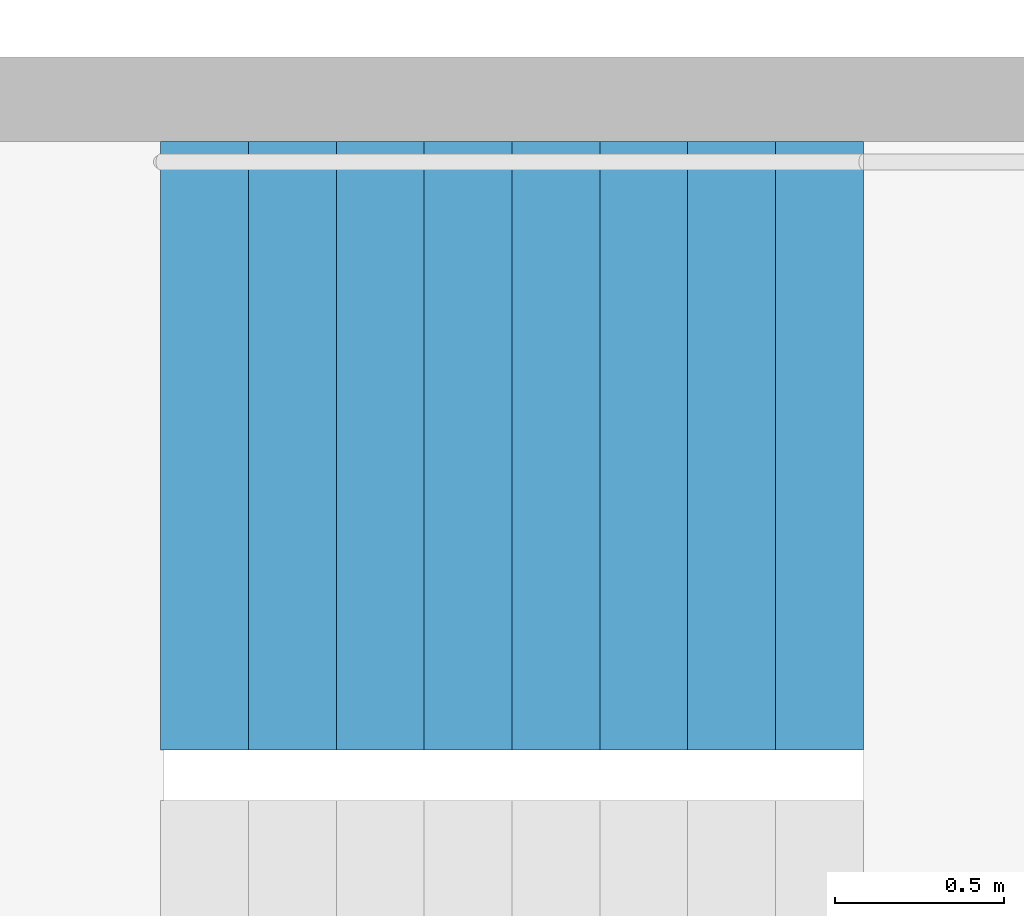
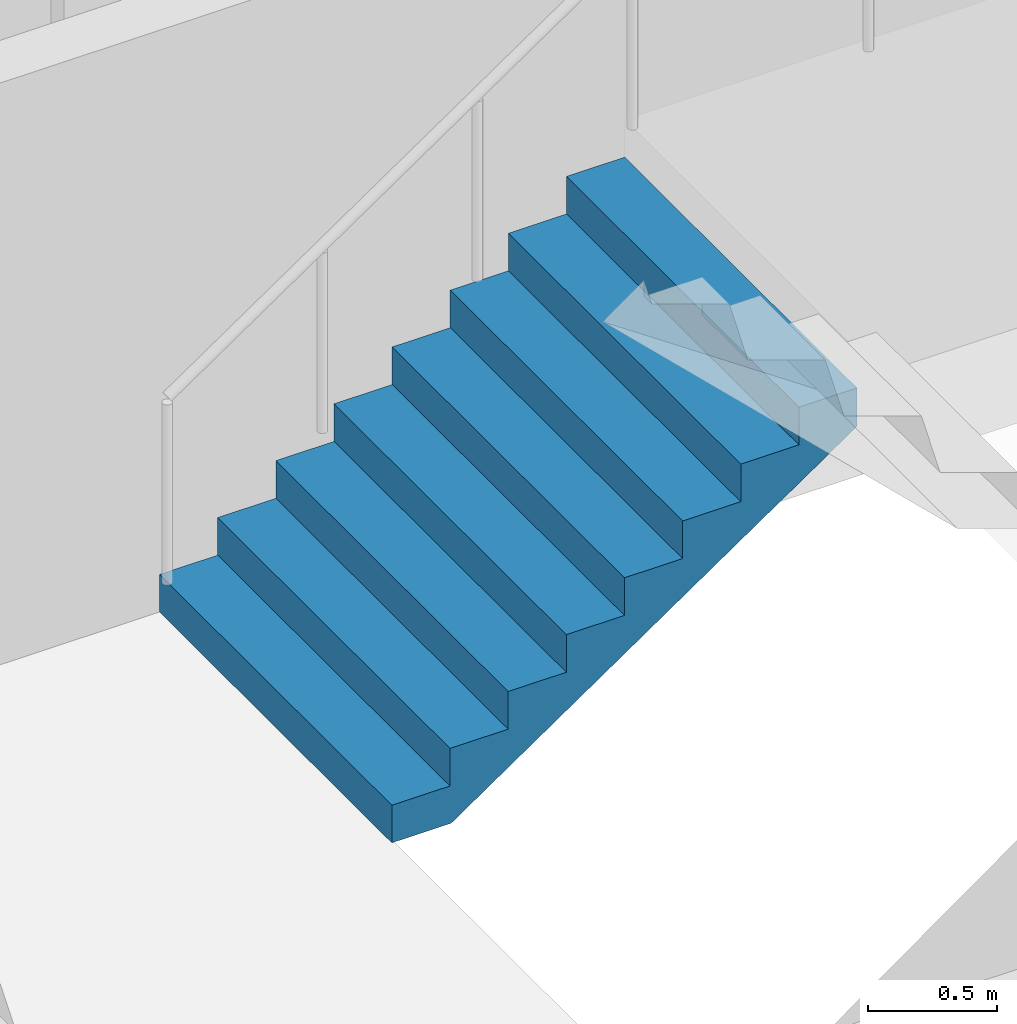
# One storey, part 23 of 26: 1 stair flight, 1 element without a shape of its own.
"""IFC4 building model written with IfcOpenShell, lengths in metres."""

from ifc_helpers import new_model, si_unit, direction, frame, origin, place, context, subcontext, project, spatial, triangles, material, type_object, element, aggregate, save


model = new_model("IFC4")

# Units and contexts
model_context = context("Model", 3, precision=1e-05, world=origin(), true_north=direction((0.0, 1.0)))
body_context = subcontext(model_context, "Body", "Model", "MODEL_VIEW")
ifc_project = project(units=[si_unit("LENGTHUNIT", "METRE"), si_unit("AREAUNIT", "SQUARE_METRE"), si_unit("VOLUMEUNIT", "CUBIC_METRE"), si_unit("PLANEANGLEUNIT", "RADIAN"), si_unit("MASSUNIT", "GRAM", prefix="KILO")], contexts=[model_context])

# Site, building, storey
site_placement = place(None, origin())
site = spatial("IfcSite", under=ifc_project, at=site_placement, CompositionType="ELEMENT")
building_placement = place(site_placement, origin())
building = spatial("IfcBuilding", under=site, at=building_placement, Name="Hakoniwa Tower and Hamabe Station Hall", CompositionType="ELEMENT")
storey_placement = place(building_placement, frame((0.0, 0.0, 156.60009765625)))
storey = spatial("IfcBuildingStorey", under=building, at=storey_placement, Name="L44", CompositionType="ELEMENT", Elevation=156.60009765625)

# Stair, stair flight
ifc_material_1 = material(Name="Concrete C40", Category="concrete")
stair_type = type_object("IfcStairType", Name="ESCAPE STAIR 1800", PredefinedType="HALF_TURN_STAIR", material=ifc_material_1)
stair_placement = place(storey_placement, origin())
stair = element("IfcStair", 1, at=stair_placement, inside=storey, type_object=stair_type, Name="Escape stair ST-4 L44", PredefinedType="HALF_TURN_STAIR")
ifc_material_2 = material(Name="Concrete C40", Category="concrete")
stair_flight_type = type_object("IfcStairFlightType", Name="STAIR FLIGHT 1800", PredefinedType="STRAIGHT", material=ifc_material_2)
stair_flight_placement = place(storey_placement, frame((23.39990234375, -4.64990234375, 0.0), z_axis=(0.0, 0.0, 1.0), x_axis=(1.0, 0.0, 0.0)))
stair_flight = element("IfcStairFlight", 2, at=stair_flight_placement, type_object=stair_flight_type, Name="ST-4 flight 1", NumberOfRisers=9, NumberOfTreads=8, PredefinedType="STRAIGHT", RiserHeight=0.177777778, TreadLength=0.26, context=body_context, shape_type="Tessellation", body=[
    triangles([(0.0, 0.89990234375, 0.0), (0.260009765625, 0.89990234375, 0.0), (0.265625, 0.89990234375, 0.0), (0.52001953125, 0.89990234375, 0.174072265625), (0.780029296875, 0.89990234375, 0.351806640625), (1.0400390625, 0.89990234375, 0.529541015625), (1.300048828125, 0.89990234375, 0.707275390625), (1.56005859375, 0.89990234375, 0.885009765625), (1.820068359375, 0.89990234375, 1.062744140625), (2.080078125, 0.89990234375, 1.24072265625), (2.080078125, 0.89990234375, 1.422119140625), (1.820068359375, 0.89990234375, 1.422119140625), (1.820068359375, 0.89990234375, 1.244384765625), (1.56005859375, 0.89990234375, 1.244384765625), (1.56005859375, 0.89990234375, 1.066650390625), (1.300048828125, 0.89990234375, 1.066650390625), (1.300048828125, 0.89990234375, 0.888916015625), (1.0400390625, 0.89990234375, 0.888916015625), (1.0400390625, 0.89990234375, 0.711181640625), (0.780029296875, 0.89990234375, 0.711181640625), (0.780029296875, 0.89990234375, 0.533447265625), (0.52001953125, 0.89990234375, 0.533447265625), (0.52001953125, 0.89990234375, 0.35546875), (0.265625, 0.89990234375, 0.35546875), (0.260009765625, 0.89990234375, 0.35546875), (0.260009765625, 0.89990234375, 0.177734375), (0.0, 0.89990234375, 0.177734375), (0.0, 0.06005859375, 0.0), (0.260009765625, 0.06005859375, 0.0), (0.265625, 0.06005859375, 0.0), (0.52001953125, 0.06005859375, 0.174072265625), (0.780029296875, 0.06005859375, 0.351806640625), (1.0400390625, 0.06005859375, 0.529541015625), (1.300048828125, 0.06005859375, 0.707275390625), (1.56005859375, 0.06005859375, 0.885009765625), (1.820068359375, 0.06005859375, 1.062744140625), (2.080078125, 0.06005859375, 1.24072265625), (2.080078125, 0.06005859375, 1.422119140625), (1.820068359375, 0.06005859375, 1.422119140625), (1.820068359375, 0.06005859375, 1.244384765625), (1.56005859375, 0.06005859375, 1.244384765625), (1.56005859375, 0.06005859375, 1.066650390625), (1.300048828125, 0.06005859375, 1.066650390625), (1.300048828125, 0.06005859375, 0.888916015625), (1.0400390625, 0.06005859375, 0.888916015625), (1.0400390625, 0.06005859375, 0.711181640625), (0.780029296875, 0.06005859375, 0.711181640625), (0.780029296875, 0.06005859375, 0.533447265625), (0.52001953125, 0.06005859375, 0.533447265625), (0.52001953125, 0.06005859375, 0.35546875), (0.265625, 0.06005859375, 0.35546875), (0.260009765625, 0.06005859375, 0.35546875), (0.260009765625, 0.06005859375, 0.177734375), (0.0, 0.06005859375, 0.177734375), (0.0, 0.04296875, 0.0), (0.260009765625, 0.04296875, 0.0), (0.265625, 0.04296875, 0.0), (0.52001953125, 0.04296875, 0.174072265625), (0.780029296875, 0.04296875, 0.351806640625), (1.0400390625, 0.04296875, 0.529541015625), (1.300048828125, 0.04296875, 0.707275390625), (1.56005859375, 0.04296875, 0.885009765625), (1.820068359375, 0.04296875, 1.062744140625), (2.080078125, 0.04296875, 1.24072265625), (2.080078125, 0.04296875, 1.422119140625), (1.820068359375, 0.04296875, 1.422119140625), (1.820068359375, 0.04296875, 1.244384765625), (1.56005859375, 0.04296875, 1.244384765625), (1.56005859375, 0.04296875, 1.066650390625), (1.300048828125, 0.04296875, 1.066650390625), (1.300048828125, 0.04296875, 0.888916015625), (1.0400390625, 0.04296875, 0.888916015625), (1.0400390625, 0.04296875, 0.711181640625), (0.780029296875, 0.04296875, 0.711181640625), (0.780029296875, 0.04296875, 0.533447265625), (0.52001953125, 0.04296875, 0.533447265625), (0.52001953125, 0.04296875, 0.35546875), (0.265625, 0.04296875, 0.35546875), (0.260009765625, 0.04296875, 0.35546875), (0.260009765625, 0.04296875, 0.177734375), (0.0, 0.04296875, 0.177734375), (0.0, 0.025634765625, 0.0), (0.260009765625, 0.025634765625, 0.0), (0.265625, 0.025634765625, 0.0), (0.52001953125, 0.025634765625, 0.174072265625), (0.780029296875, 0.025634765625, 0.351806640625), (1.0400390625, 0.025634765625, 0.529541015625), (1.300048828125, 0.025634765625, 0.707275390625), (1.56005859375, 0.025634765625, 0.885009765625), (1.820068359375, 0.025634765625, 1.062744140625), (2.080078125, 0.025634765625, 1.24072265625), (2.080078125, 0.025634765625, 1.422119140625), (1.820068359375, 0.025634765625, 1.422119140625), (1.820068359375, 0.025634765625, 1.244384765625), (1.56005859375, 0.025634765625, 1.244384765625), (1.56005859375, 0.025634765625, 1.066650390625), (1.300048828125, 0.025634765625, 1.066650390625), (1.300048828125, 0.025634765625, 0.888916015625), (1.0400390625, 0.025634765625, 0.888916015625), (1.0400390625, 0.025634765625, 0.711181640625), (0.780029296875, 0.025634765625, 0.711181640625), (0.780029296875, 0.025634765625, 0.533447265625), (0.52001953125, 0.025634765625, 0.533447265625), (0.52001953125, 0.025634765625, 0.35546875), (0.265625, 0.025634765625, 0.35546875), (0.260009765625, 0.025634765625, 0.35546875), (0.260009765625, 0.025634765625, 0.177734375), (0.0, 0.025634765625, 0.177734375), (0.0, 0.008544921875, 0.0), (0.260009765625, 0.008544921875, 0.0), (0.265625, 0.008544921875, 0.0), (0.52001953125, 0.008544921875, 0.174072265625), (0.780029296875, 0.008544921875, 0.351806640625), (1.0400390625, 0.008544921875, 0.529541015625), (1.300048828125, 0.008544921875, 0.707275390625), (1.56005859375, 0.008544921875, 0.885009765625), (1.820068359375, 0.008544921875, 1.062744140625), (2.080078125, 0.008544921875, 1.24072265625), (2.080078125, 0.008544921875, 1.422119140625), (1.820068359375, 0.008544921875, 1.422119140625), (1.820068359375, 0.008544921875, 1.244384765625), (1.56005859375, 0.008544921875, 1.244384765625), (1.56005859375, 0.008544921875, 1.066650390625), (1.300048828125, 0.008544921875, 1.066650390625), (1.300048828125, 0.008544921875, 0.888916015625), (1.0400390625, 0.008544921875, 0.888916015625), (1.0400390625, 0.008544921875, 0.711181640625), (0.780029296875, 0.008544921875, 0.711181640625), (0.780029296875, 0.008544921875, 0.533447265625), (0.52001953125, 0.008544921875, 0.533447265625), (0.52001953125, 0.008544921875, 0.35546875), (0.265625, 0.008544921875, 0.35546875), (0.260009765625, 0.008544921875, 0.35546875), (0.260009765625, 0.008544921875, 0.177734375), (0.0, 0.008544921875, 0.177734375), (0.0, -0.008544921875, 0.0), (0.260009765625, -0.008544921875, 0.0), (0.265625, -0.008544921875, 0.0), (0.52001953125, -0.008544921875, 0.174072265625), (0.780029296875, -0.008544921875, 0.351806640625), (1.0400390625, -0.008544921875, 0.529541015625), (1.300048828125, -0.008544921875, 0.707275390625), (1.56005859375, -0.008544921875, 0.885009765625), (1.820068359375, -0.008544921875, 1.062744140625), (2.080078125, -0.008544921875, 1.24072265625), (2.080078125, -0.008544921875, 1.422119140625), (1.820068359375, -0.008544921875, 1.422119140625), (1.820068359375, -0.008544921875, 1.244384765625), (1.56005859375, -0.008544921875, 1.244384765625), (1.56005859375, -0.008544921875, 1.066650390625), (1.300048828125, -0.008544921875, 1.066650390625), (1.300048828125, -0.008544921875, 0.888916015625), (1.0400390625, -0.008544921875, 0.888916015625), (1.0400390625, -0.008544921875, 0.711181640625), (0.780029296875, -0.008544921875, 0.711181640625), (0.780029296875, -0.008544921875, 0.533447265625), (0.52001953125, -0.008544921875, 0.533447265625), (0.52001953125, -0.008544921875, 0.35546875), (0.265625, -0.008544921875, 0.35546875), (0.260009765625, -0.008544921875, 0.35546875), (0.260009765625, -0.008544921875, 0.177734375), (0.0, -0.008544921875, 0.177734375), (0.0, -0.025634765625, 0.0), (0.260009765625, -0.025634765625, 0.0), (0.265625, -0.025634765625, 0.0), (0.52001953125, -0.025634765625, 0.174072265625), (0.780029296875, -0.025634765625, 0.351806640625), (1.0400390625, -0.025634765625, 0.529541015625), (1.300048828125, -0.025634765625, 0.707275390625), (1.56005859375, -0.025634765625, 0.885009765625), (1.820068359375, -0.025634765625, 1.062744140625), (2.080078125, -0.025634765625, 1.24072265625), (2.080078125, -0.025634765625, 1.422119140625), (1.820068359375, -0.025634765625, 1.422119140625), (1.820068359375, -0.025634765625, 1.244384765625), (1.56005859375, -0.025634765625, 1.244384765625), (1.56005859375, -0.025634765625, 1.066650390625), (1.300048828125, -0.025634765625, 1.066650390625), (1.300048828125, -0.025634765625, 0.888916015625), (1.0400390625, -0.025634765625, 0.888916015625), (1.0400390625, -0.025634765625, 0.711181640625), (0.780029296875, -0.025634765625, 0.711181640625), (0.780029296875, -0.025634765625, 0.533447265625), (0.52001953125, -0.025634765625, 0.533447265625), (0.52001953125, -0.025634765625, 0.35546875), (0.265625, -0.025634765625, 0.35546875), (0.260009765625, -0.025634765625, 0.35546875), (0.260009765625, -0.025634765625, 0.177734375), (0.0, -0.025634765625, 0.177734375), (0.0, -0.04296875, 0.0), (0.260009765625, -0.04296875, 0.0), (0.265625, -0.04296875, 0.0), (0.52001953125, -0.04296875, 0.174072265625), (0.780029296875, -0.04296875, 0.351806640625), (1.0400390625, -0.04296875, 0.529541015625), (1.300048828125, -0.04296875, 0.707275390625), (1.56005859375, -0.04296875, 0.885009765625), (1.820068359375, -0.04296875, 1.062744140625), (2.080078125, -0.04296875, 1.24072265625), (2.080078125, -0.04296875, 1.422119140625), (1.820068359375, -0.04296875, 1.422119140625), (1.820068359375, -0.04296875, 1.244384765625), (1.56005859375, -0.04296875, 1.244384765625), (1.56005859375, -0.04296875, 1.066650390625), (1.300048828125, -0.04296875, 1.066650390625), (1.300048828125, -0.04296875, 0.888916015625), (1.0400390625, -0.04296875, 0.888916015625), (1.0400390625, -0.04296875, 0.711181640625), (0.780029296875, -0.04296875, 0.711181640625), (0.780029296875, -0.04296875, 0.533447265625), (0.52001953125, -0.04296875, 0.533447265625), (0.52001953125, -0.04296875, 0.35546875), (0.265625, -0.04296875, 0.35546875), (0.260009765625, -0.04296875, 0.35546875), (0.260009765625, -0.04296875, 0.177734375), (0.0, -0.04296875, 0.177734375), (0.0, -0.06005859375, 0.0), (0.260009765625, -0.06005859375, 0.0), (0.265625, -0.06005859375, 0.0), (0.52001953125, -0.06005859375, 0.174072265625), (0.780029296875, -0.06005859375, 0.351806640625), (1.0400390625, -0.06005859375, 0.529541015625), (1.300048828125, -0.06005859375, 0.707275390625), (1.56005859375, -0.06005859375, 0.885009765625), (1.820068359375, -0.06005859375, 1.062744140625), (2.080078125, -0.06005859375, 1.24072265625), (2.080078125, -0.06005859375, 1.422119140625), (1.820068359375, -0.06005859375, 1.422119140625), (1.820068359375, -0.06005859375, 1.244384765625), (1.56005859375, -0.06005859375, 1.244384765625), (1.56005859375, -0.06005859375, 1.066650390625), (1.300048828125, -0.06005859375, 1.066650390625), (1.300048828125, -0.06005859375, 0.888916015625), (1.0400390625, -0.06005859375, 0.888916015625), (1.0400390625, -0.06005859375, 0.711181640625), (0.780029296875, -0.06005859375, 0.711181640625), (0.780029296875, -0.06005859375, 0.533447265625), (0.52001953125, -0.06005859375, 0.533447265625), (0.52001953125, -0.06005859375, 0.35546875), (0.265625, -0.06005859375, 0.35546875), (0.260009765625, -0.06005859375, 0.35546875), (0.260009765625, -0.06005859375, 0.177734375), (0.0, -0.06005859375, 0.177734375), (0.0, -0.89990234375, 0.0), (0.260009765625, -0.89990234375, 0.0), (0.265625, -0.89990234375, 0.0), (0.52001953125, -0.89990234375, 0.174072265625), (0.780029296875, -0.89990234375, 0.351806640625), (1.0400390625, -0.89990234375, 0.529541015625), (1.300048828125, -0.89990234375, 0.707275390625), (1.56005859375, -0.89990234375, 0.885009765625), (1.820068359375, -0.89990234375, 1.062744140625), (2.080078125, -0.89990234375, 1.24072265625), (2.080078125, -0.89990234375, 1.422119140625), (1.820068359375, -0.89990234375, 1.422119140625), (1.820068359375, -0.89990234375, 1.244384765625), (1.56005859375, -0.89990234375, 1.244384765625), (1.56005859375, -0.89990234375, 1.066650390625), (1.300048828125, -0.89990234375, 1.066650390625), (1.300048828125, -0.89990234375, 0.888916015625), (1.0400390625, -0.89990234375, 0.888916015625), (1.0400390625, -0.89990234375, 0.711181640625), (0.780029296875, -0.89990234375, 0.711181640625), (0.780029296875, -0.89990234375, 0.533447265625), (0.52001953125, -0.89990234375, 0.533447265625), (0.52001953125, -0.89990234375, 0.35546875), (0.265625, -0.89990234375, 0.35546875), (0.260009765625, -0.89990234375, 0.35546875), (0.260009765625, -0.89990234375, 0.177734375), (0.0, -0.89990234375, 0.177734375)], [[2, 27, 26], [245, 269, 270], [2, 1, 27], [245, 270, 244], [3, 25, 24], [246, 267, 268], [3, 26, 25], [246, 268, 269], [3, 2, 26], [246, 269, 245], [4, 24, 23], [247, 266, 267], [4, 3, 24], [247, 267, 246], [5, 22, 21], [248, 264, 265], [5, 23, 22], [248, 265, 266], [5, 4, 23], [248, 266, 247], [6, 20, 19], [249, 262, 263], [6, 21, 20], [249, 263, 264], [6, 5, 21], [249, 264, 248], [7, 18, 17], [250, 260, 261], [7, 19, 18], [250, 261, 262], [7, 6, 19], [250, 262, 249], [8, 16, 15], [251, 258, 259], [8, 17, 16], [251, 259, 260], [8, 7, 17], [251, 260, 250], [9, 14, 13], [252, 256, 257], [9, 15, 14], [252, 257, 258], [9, 8, 15], [252, 258, 251], [10, 12, 11], [253, 254, 255], [10, 13, 12], [253, 255, 256], [10, 9, 13], [253, 256, 252], [1, 2, 29], [1, 29, 28], [28, 29, 56], [28, 56, 55], [55, 56, 83], [55, 83, 82], [82, 83, 110], [82, 110, 109], [109, 110, 137], [109, 137, 136], [136, 137, 164], [136, 164, 163], [163, 164, 191], [163, 191, 190], [190, 191, 218], [190, 218, 217], [217, 218, 245], [217, 245, 244], [2, 3, 30], [2, 30, 29], [29, 30, 57], [29, 57, 56], [56, 57, 84], [56, 84, 83], [83, 84, 111], [83, 111, 110], [110, 111, 138], [110, 138, 137], [137, 138, 165], [137, 165, 164], [164, 165, 192], [164, 192, 191], [191, 192, 219], [191, 219, 218], [218, 219, 246], [218, 246, 245], [3, 4, 31], [3, 31, 30], [30, 31, 58], [30, 58, 57], [57, 58, 85], [57, 85, 84], [84, 85, 112], [84, 112, 111], [111, 112, 139], [111, 139, 138], [138, 139, 166], [138, 166, 165], [165, 166, 193], [165, 193, 192], [192, 193, 220], [192, 220, 219], [219, 220, 247], [219, 247, 246], [4, 5, 32], [4, 32, 31], [31, 32, 59], [31, 59, 58], [58, 59, 86], [58, 86, 85], [85, 86, 113], [85, 113, 112], [112, 113, 140], [112, 140, 139], [139, 140, 167], [139, 167, 166], [166, 167, 194], [166, 194, 193], [193, 194, 221], [193, 221, 220], [220, 221, 248], [220, 248, 247], [5, 6, 33], [5, 33, 32], [32, 33, 60], [32, 60, 59], [59, 60, 87], [59, 87, 86], [86, 87, 114], [86, 114, 113], [113, 114, 141], [113, 141, 140], [140, 141, 168], [140, 168, 167], [167, 168, 195], [167, 195, 194], [194, 195, 222], [194, 222, 221], [221, 222, 249], [221, 249, 248], [6, 7, 34], [6, 34, 33], [33, 34, 61], [33, 61, 60], [60, 61, 88], [60, 88, 87], [87, 88, 115], [87, 115, 114], [114, 115, 142], [114, 142, 141], [141, 142, 169], [141, 169, 168], [168, 169, 196], [168, 196, 195], [195, 196, 223], [195, 223, 222], [222, 223, 250], [222, 250, 249], [7, 8, 35], [7, 35, 34], [34, 35, 62], [34, 62, 61], [61, 62, 89], [61, 89, 88], [88, 89, 116], [88, 116, 115], [115, 116, 143], [115, 143, 142], [142, 143, 170], [142, 170, 169], [169, 170, 197], [169, 197, 196], [196, 197, 224], [196, 224, 223], [223, 224, 251], [223, 251, 250], [8, 9, 36], [8, 36, 35], [35, 36, 63], [35, 63, 62], [62, 63, 90], [62, 90, 89], [89, 90, 117], [89, 117, 116], [116, 117, 144], [116, 144, 143], [143, 144, 171], [143, 171, 170], [170, 171, 198], [170, 198, 197], [197, 198, 225], [197, 225, 224], [224, 225, 252], [224, 252, 251], [9, 10, 37], [9, 37, 36], [36, 37, 64], [36, 64, 63], [63, 64, 91], [63, 91, 90], [90, 91, 118], [90, 118, 117], [117, 118, 145], [117, 145, 144], [144, 145, 172], [144, 172, 171], [171, 172, 199], [171, 199, 198], [198, 199, 226], [198, 226, 225], [225, 226, 253], [225, 253, 252], [10, 11, 38], [10, 38, 37], [37, 38, 65], [37, 65, 64], [64, 65, 92], [64, 92, 91], [91, 92, 119], [91, 119, 118], [118, 119, 146], [118, 146, 145], [145, 146, 173], [145, 173, 172], [172, 173, 200], [172, 200, 199], [199, 200, 227], [199, 227, 226], [226, 227, 254], [226, 254, 253], [11, 12, 39], [11, 39, 38], [38, 39, 66], [38, 66, 65], [65, 66, 93], [65, 93, 92], [92, 93, 120], [92, 120, 119], [119, 120, 147], [119, 147, 146], [146, 147, 174], [146, 174, 173], [173, 174, 201], [173, 201, 200], [200, 201, 228], [200, 228, 227], [227, 228, 255], [227, 255, 254], [12, 13, 40], [12, 40, 39], [39, 40, 67], [39, 67, 66], [66, 67, 94], [66, 94, 93], [93, 94, 121], [93, 121, 120], [120, 121, 148], [120, 148, 147], [147, 148, 175], [147, 175, 174], [174, 175, 202], [174, 202, 201], [201, 202, 229], [201, 229, 228], [228, 229, 256], [228, 256, 255], [13, 14, 41], [13, 41, 40], [40, 41, 68], [40, 68, 67], [67, 68, 95], [67, 95, 94], [94, 95, 122], [94, 122, 121], [121, 122, 149], [121, 149, 148], [148, 149, 176], [148, 176, 175], [175, 176, 203], [175, 203, 202], [202, 203, 230], [202, 230, 229], [229, 230, 257], [229, 257, 256], [14, 15, 42], [14, 42, 41], [41, 42, 69], [41, 69, 68], [68, 69, 96], [68, 96, 95], [95, 96, 123], [95, 123, 122], [122, 123, 150], [122, 150, 149], [149, 150, 177], [149, 177, 176], [176, 177, 204], [176, 204, 203], [203, 204, 231], [203, 231, 230], [230, 231, 258], [230, 258, 257], [15, 16, 43], [15, 43, 42], [42, 43, 70], [42, 70, 69], [69, 70, 97], [69, 97, 96], [96, 97, 124], [96, 124, 123], [123, 124, 151], [123, 151, 150], [150, 151, 178], [150, 178, 177], [177, 178, 205], [177, 205, 204], [204, 205, 232], [204, 232, 231], [231, 232, 259], [231, 259, 258], [16, 17, 44], [16, 44, 43], [43, 44, 71], [43, 71, 70], [70, 71, 98], [70, 98, 97], [97, 98, 125], [97, 125, 124], [124, 125, 152], [124, 152, 151], [151, 152, 179], [151, 179, 178], [178, 179, 206], [178, 206, 205], [205, 206, 233], [205, 233, 232], [232, 233, 260], [232, 260, 259], [17, 18, 45], [17, 45, 44], [44, 45, 72], [44, 72, 71], [71, 72, 99], [71, 99, 98], [98, 99, 126], [98, 126, 125], [125, 126, 153], [125, 153, 152], [152, 153, 180], [152, 180, 179], [179, 180, 207], [179, 207, 206], [206, 207, 234], [206, 234, 233], [233, 234, 261], [233, 261, 260], [18, 19, 46], [18, 46, 45], [45, 46, 73], [45, 73, 72], [72, 73, 100], [72, 100, 99], [99, 100, 127], [99, 127, 126], [126, 127, 154], [126, 154, 153], [153, 154, 181], [153, 181, 180], [180, 181, 208], [180, 208, 207], [207, 208, 235], [207, 235, 234], [234, 235, 262], [234, 262, 261], [19, 20, 47], [19, 47, 46], [46, 47, 74], [46, 74, 73], [73, 74, 101], [73, 101, 100], [100, 101, 128], [100, 128, 127], [127, 128, 155], [127, 155, 154], [154, 155, 182], [154, 182, 181], [181, 182, 209], [181, 209, 208], [208, 209, 236], [208, 236, 235], [235, 236, 263], [235, 263, 262], [20, 21, 48], [20, 48, 47], [47, 48, 75], [47, 75, 74], [74, 75, 102], [74, 102, 101], [101, 102, 129], [101, 129, 128], [128, 129, 156], [128, 156, 155], [155, 156, 183], [155, 183, 182], [182, 183, 210], [182, 210, 209], [209, 210, 237], [209, 237, 236], [236, 237, 264], [236, 264, 263], [21, 22, 49], [21, 49, 48], [48, 49, 76], [48, 76, 75], [75, 76, 103], [75, 103, 102], [102, 103, 130], [102, 130, 129], [129, 130, 157], [129, 157, 156], [156, 157, 184], [156, 184, 183], [183, 184, 211], [183, 211, 210], [210, 211, 238], [210, 238, 237], [237, 238, 265], [237, 265, 264], [22, 23, 50], [22, 50, 49], [49, 50, 77], [49, 77, 76], [76, 77, 104], [76, 104, 103], [103, 104, 131], [103, 131, 130], [130, 131, 158], [130, 158, 157], [157, 158, 185], [157, 185, 184], [184, 185, 212], [184, 212, 211], [211, 212, 239], [211, 239, 238], [238, 239, 266], [238, 266, 265], [23, 24, 51], [23, 51, 50], [50, 51, 78], [50, 78, 77], [77, 78, 105], [77, 105, 104], [104, 105, 132], [104, 132, 131], [131, 132, 159], [131, 159, 158], [158, 159, 186], [158, 186, 185], [185, 186, 213], [185, 213, 212], [212, 213, 240], [212, 240, 239], [239, 240, 267], [239, 267, 266], [24, 25, 52], [24, 52, 51], [51, 52, 79], [51, 79, 78], [78, 79, 106], [78, 106, 105], [105, 106, 133], [105, 133, 132], [132, 133, 160], [132, 160, 159], [159, 160, 187], [159, 187, 186], [186, 187, 214], [186, 214, 213], [213, 214, 241], [213, 241, 240], [240, 241, 268], [240, 268, 267], [25, 26, 53], [25, 53, 52], [52, 53, 80], [52, 80, 79], [79, 80, 107], [79, 107, 106], [106, 107, 134], [106, 134, 133], [133, 134, 161], [133, 161, 160], [160, 161, 188], [160, 188, 187], [187, 188, 215], [187, 215, 214], [214, 215, 242], [214, 242, 241], [241, 242, 269], [241, 269, 268], [26, 27, 54], [26, 54, 53], [53, 54, 81], [53, 81, 80], [80, 81, 108], [80, 108, 107], [107, 108, 135], [107, 135, 134], [134, 135, 162], [134, 162, 161], [161, 162, 189], [161, 189, 188], [188, 189, 216], [188, 216, 215], [215, 216, 243], [215, 243, 242], [242, 243, 270], [242, 270, 269], [27, 1, 28], [27, 28, 54], [54, 28, 55], [54, 55, 81], [81, 55, 82], [81, 82, 108], [108, 82, 109], [108, 109, 135], [135, 109, 136], [135, 136, 162], [162, 136, 163], [162, 163, 189], [189, 163, 190], [189, 190, 216], [216, 190, 217], [216, 217, 243], [243, 217, 244], [243, 244, 270]], closed=True),
])
aggregate(stair, [stair_flight])

save(model, "model.ifc")
